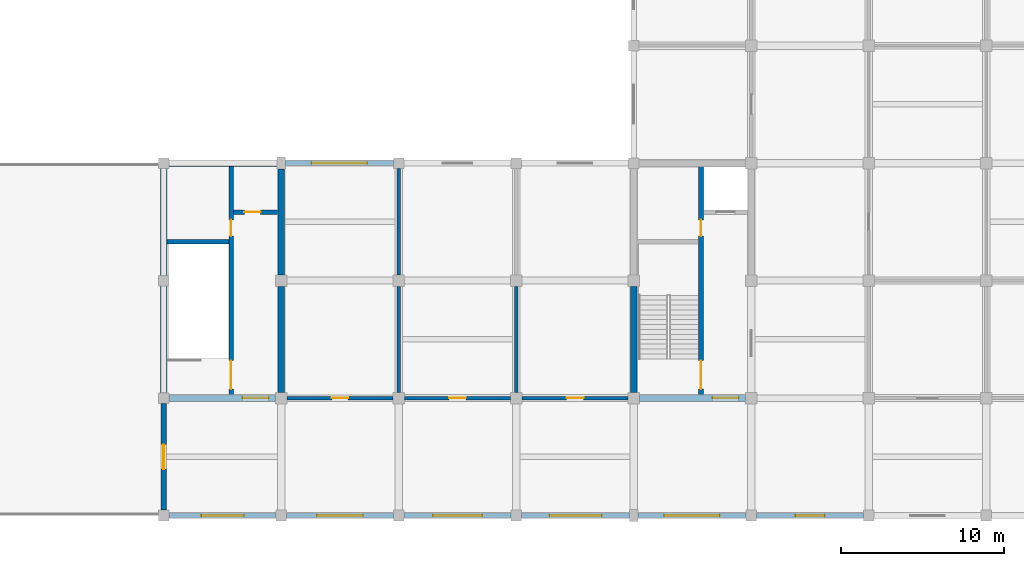
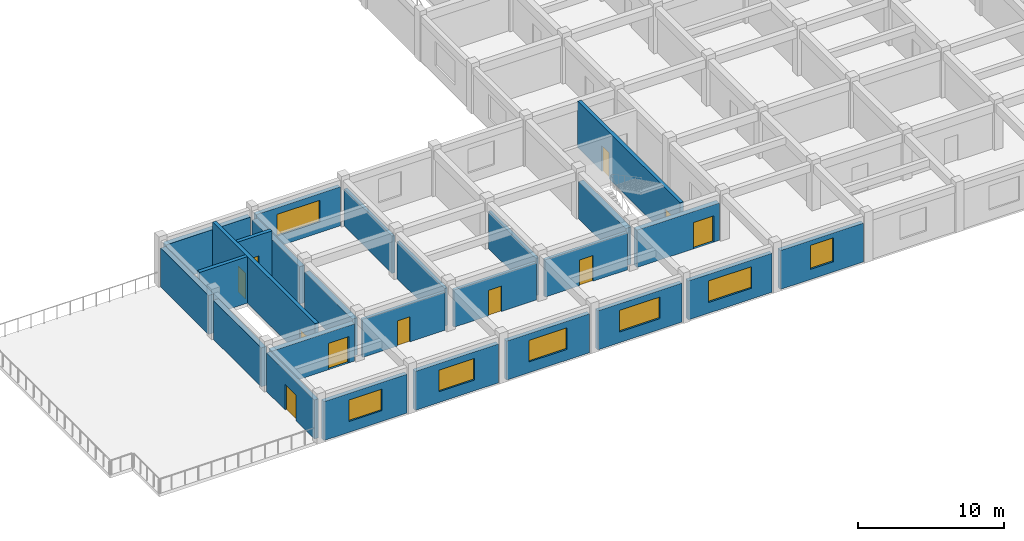
# One storey, part 4 of 10: 26 walls, 11 doors, 7 windows, 18 openings.
"""IFC4 building model written with IfcOpenShell, lengths in metres."""

from ifc_helpers import new_model, si_unit, direction, frame, frame_2d, origin, place, context, subcontext, project, spatial, rectangle, extrude, material, layer, layer_set, type_object, element, fill, save


model = new_model("IFC4")

# Units and contexts
model_context = context("Model", 3, precision=1e-05, world=origin(), true_north=direction((0.0, 1.0)))
body_context = subcontext(model_context, "Body", "Model", "MODEL_VIEW")
ifc_project = project(units=[si_unit("LENGTHUNIT", "METRE"), si_unit("AREAUNIT", "SQUARE_METRE"), si_unit("VOLUMEUNIT", "CUBIC_METRE"), si_unit("PLANEANGLEUNIT", "RADIAN"), si_unit("MASSUNIT", "GRAM", prefix="KILO")], contexts=[model_context])

# Site, building, storey
site_placement = place(None, origin())
site = spatial("IfcSite", under=ifc_project, at=site_placement, CompositionType="ELEMENT")
building_placement = place(site_placement, origin())
building = spatial("IfcBuilding", under=site, at=building_placement, Name="Cendaluz Park School", CompositionType="ELEMENT")
storey_placement = place(building_placement, frame((0.0, 0.0, 30.60009765625)))
storey = spatial("IfcBuildingStorey", under=building, at=storey_placement, Name="L07", CompositionType="ELEMENT", Elevation=30.60009765625)

# Wall, opening, window
ifc_material_1 = material(Name="Concrete C40/50 precast", Category="concrete")
ifc_layer_1 = layer(ifc_material_1, 0.320068359375)
ifc_layer_set_1 = layer_set([ifc_layer_1], Name="Concrete C40/50 precast")
wall_type_1 = type_object("IfcWallType", Name="W-EX32", PredefinedType="SOLIDWALL", material=ifc_layer_set_1)
wall_1_placement = place(storey_placement, frame((36.324951171875, 7.199951171875, 0.0), z_axis=(0.0, 0.0, 1.0), x_axis=(1.0, 0.0, 0.0)))
wall_1 = element("IfcWall", 1, at=wall_1_placement, inside=storey, type_object=wall_type_1, Name="WL-FH-AA0", PredefinedType="SOLIDWALL", context=body_context, shape_type="SweptSolid", body=[
    extrude(rectangle(XDim=6.550048828125, YDim=0.320068359375, at=frame_2d((3.27490234375, 0.0))), origin(), (0.0, 0.0, 1.0), 3.25),
])
opening_1_placement = place(wall_1_placement, frame((1.97509765625, 0.0, 0.89990234375)))
opening_1 = element("IfcOpeningElement", 2, at=opening_1_placement, cuts=wall_1, Name="Opening WN-05", PredefinedType="OPENING", context=body_context, shape_type="SweptSolid", body=[
    extrude(rectangle(XDim=2.60009765625, YDim=1.800048828125, at=frame_2d((1.300048828125, 0.89990234375))), frame((0.0, 0.172119140625, 0.0), z_axis=(0.0, -1.0, 0.0), x_axis=(1.0, 0.0, 0.0)), (0.0, 0.0, 1.0), 0.343994140625),
])
ifc_material_2 = material(Name="Tempered Low-E Double Glazing", Category="glass")
window_type_1 = type_object("IfcWindowType", Name="WN-05", PartitioningType="SINGLE_PANEL", PredefinedType="WINDOW", material=ifc_material_2)
window_1_placement = place(opening_1_placement, origin())
window_1 = element("IfcWindow", 3, at=window_1_placement, inside=storey, type_object=window_type_1, Name="WN-L07-001", OverallHeight=1.800048828125, OverallWidth=2.60009765625, PartitioningType="SINGLE_PANEL", PredefinedType="WINDOW", context=body_context, shape_type="SweptSolid", body=[
    extrude(rectangle(XDim=2.60009765625, YDim=1.800048828125, at=frame_2d((1.300048828125, 0.89990234375))), frame((0.0, 0.030029296875, 0.0), z_axis=(0.0, -1.0, 0.0), x_axis=(1.0, 0.0, 0.0)), (0.0, 0.0, 1.0), 0.06005859375),
])
fill(opening_1, window_1)

# Wall, opening, door
wall_2_placement = place(storey_placement, frame((36.0, 7.52490234375, 0.0), z_axis=(0.0, 0.0, 1.0), x_axis=(0.0, 1.0, 0.0)))
wall_2 = element("IfcWall", 4, at=wall_2_placement, inside=storey, type_object=wall_type_1, Name="WL-FH-AA1", PredefinedType="SOLIDWALL", context=body_context, shape_type="SweptSolid", body=[
    extrude(rectangle(XDim=6.550048828125, YDim=0.320068359375, at=frame_2d((3.27490234375, 0.0))), origin(), (0.0, 0.0, 1.0), 3.25),
])
opening_2_placement = place(wall_2_placement, frame((2.52490234375, 0.0, 0.0)))
opening_2 = element("IfcOpeningElement", 5, at=opening_2_placement, cuts=wall_2, Name="Opening DPD-03", PredefinedType="OPENING", context=body_context, shape_type="SweptSolid", body=[
    extrude(rectangle(XDim=1.5, YDim=2.14990234375, at=frame_2d((0.75, 1.074951171875))), frame((0.0, 0.172119140625, 0.0), z_axis=(0.0, -1.0, 0.0), x_axis=(1.0, 0.0, 0.0)), (0.0, 0.0, 1.0), 0.343994140625),
])
ifc_material_3 = material(Name="Architectural Bronze")
door_type_1 = type_object("IfcDoorType", Name="DPD-03", OperationType="DOUBLE_DOOR_SINGLE_SWING", PredefinedType="DOOR", material=ifc_material_3)
door_1_placement = place(opening_2_placement, origin())
door_1 = element("IfcDoor", 6, at=door_1_placement, inside=storey, type_object=door_type_1, Name="D-L07-001", OperationType="DOUBLE_DOOR_SINGLE_SWING", OverallHeight=2.14990234375, OverallWidth=1.5, PredefinedType="DOOR", context=body_context, shape_type="SweptSolid", body=[
    extrude(rectangle(XDim=1.5, YDim=2.14990234375, at=frame_2d((0.75, 1.074951171875))), frame((0.0, 0.02490234375, 0.0), z_axis=(0.0, -1.0, 0.0), x_axis=(1.0, 0.0, 0.0)), (0.0, 0.0, 1.0), 0.050048828125),
])
fill(opening_2, door_1)

# Wall, opening, window
wall_3_placement = place(storey_placement, frame((43.52490234375, 7.199951171875, 0.0), z_axis=(0.0, 0.0, 1.0), x_axis=(1.0, 0.0, 0.0)))
wall_3 = element("IfcWall", 7, at=wall_3_placement, inside=storey, type_object=wall_type_1, Name="WL-FH-AA2", PredefinedType="SOLIDWALL", context=body_context, shape_type="SweptSolid", body=[
    extrude(rectangle(XDim=6.550048828125, YDim=0.320068359375, at=frame_2d((3.27490234375, 0.0))), origin(), (0.0, 0.0, 1.0), 3.25),
])
opening_3_placement = place(wall_3_placement, frame((1.875, 0.0, 0.89990234375)))
opening_3 = element("IfcOpeningElement", 8, at=opening_3_placement, cuts=wall_3, Name="Opening WN-06", PredefinedType="OPENING", context=body_context, shape_type="SweptSolid", body=[
    extrude(rectangle(XDim=2.800048828125, YDim=1.800048828125, at=frame_2d((1.39990234375, 0.89990234375))), frame((0.0, 0.172119140625, 0.0), z_axis=(0.0, -1.0, 0.0), x_axis=(1.0, 0.0, 0.0)), (0.0, 0.0, 1.0), 0.343994140625),
])
window_type_2 = type_object("IfcWindowType", Name="WN-06", PartitioningType="SINGLE_PANEL", PredefinedType="WINDOW", material=ifc_material_2)
window_2_placement = place(opening_3_placement, origin())
window_2 = element("IfcWindow", 9, at=window_2_placement, inside=storey, type_object=window_type_2, Name="WN-L07-002", OverallHeight=1.800048828125, OverallWidth=2.800048828125, PartitioningType="SINGLE_PANEL", PredefinedType="WINDOW", context=body_context, shape_type="SweptSolid", body=[
    extrude(rectangle(XDim=2.800048828125, YDim=1.800048828125, at=frame_2d((1.39990234375, 0.89990234375))), frame((0.0, 0.030029296875, 0.0), z_axis=(0.0, -1.0, 0.0), x_axis=(1.0, 0.0, 0.0)), (0.0, 0.0, 1.0), 0.06005859375),
])
fill(opening_3, window_2)

wall_4_placement = place(storey_placement, frame((43.449951171875, 28.800048828125, 0.0), z_axis=(0.0, 0.0, 1.0), x_axis=(1.0, 0.0, 0.0)))
wall_4 = element("IfcWall", 10, at=wall_4_placement, inside=storey, type_object=wall_type_1, Name="WL-FH-AA3", PredefinedType="SOLIDWALL", context=body_context, shape_type="SweptSolid", body=[
    extrude(rectangle(XDim=6.625, YDim=0.320068359375, at=frame_2d((3.3125, 0.0))), origin(), (0.0, 0.0, 1.0), 3.25),
])
opening_4_placement = place(wall_4_placement, frame((1.612548828125, 0.0, 0.89990234375)))
opening_4 = element("IfcOpeningElement", 11, at=opening_4_placement, cuts=wall_4, Name="Opening WN-09", PredefinedType="OPENING", context=body_context, shape_type="SweptSolid", body=[
    extrude(rectangle(XDim=3.39990234375, YDim=1.800048828125, at=frame_2d((1.699951171875, 0.89990234375))), frame((0.0, 0.172119140625, 0.0), z_axis=(0.0, -1.0, 0.0), x_axis=(1.0, 0.0, 0.0)), (0.0, 0.0, 1.0), 0.343994140625),
])
window_type_3 = type_object("IfcWindowType", Name="WN-09", PartitioningType="SINGLE_PANEL", PredefinedType="WINDOW", material=ifc_material_2)
window_3_placement = place(opening_4_placement, origin())
window_3 = element("IfcWindow", 12, at=window_3_placement, inside=storey, type_object=window_type_3, Name="WN-L07-003", OverallHeight=1.800048828125, OverallWidth=3.39990234375, PartitioningType="SINGLE_PANEL", PredefinedType="WINDOW", context=body_context, shape_type="SweptSolid", body=[
    extrude(rectangle(XDim=3.39990234375, YDim=1.800048828125, at=frame_2d((1.699951171875, 0.89990234375))), frame((0.0, 0.030029296875, 0.0), z_axis=(0.0, -1.0, 0.0), x_axis=(1.0, 0.0, 0.0)), (0.0, 0.0, 1.0), 0.06005859375),
])
fill(opening_4, window_3)

wall_5_placement = place(storey_placement, frame((50.72509765625, 7.199951171875, 0.0), z_axis=(0.0, 0.0, 1.0), x_axis=(1.0, 0.0, 0.0)))
wall_5 = element("IfcWall", 13, at=wall_5_placement, inside=storey, type_object=wall_type_1, Name="WL-FH-AA4", PredefinedType="SOLIDWALL", context=body_context, shape_type="SweptSolid", body=[
    extrude(rectangle(XDim=6.5498046875, YDim=0.320068359375, at=frame_2d((3.27490234375, 0.0))), origin(), (0.0, 0.0, 1.0), 3.25),
])
opening_5_placement = place(wall_5_placement, frame((1.77490234375, 0.0, 0.89990234375)))
opening_5 = element("IfcOpeningElement", 14, at=opening_5_placement, cuts=wall_5, Name="Opening WN-07", PredefinedType="OPENING", context=body_context, shape_type="SweptSolid", body=[
    extrude(rectangle(XDim=3.0, YDim=1.800048828125, at=frame_2d((1.5, 0.89990234375))), frame((0.0, 0.172119140625, 0.0), z_axis=(0.0, -1.0, 0.0), x_axis=(1.0, 0.0, 0.0)), (0.0, 0.0, 1.0), 0.343994140625),
])
window_type_4 = type_object("IfcWindowType", Name="WN-07", PartitioningType="SINGLE_PANEL", PredefinedType="WINDOW", material=ifc_material_2)
window_4_placement = place(opening_5_placement, origin())
window_4 = element("IfcWindow", 15, at=window_4_placement, inside=storey, type_object=window_type_4, Name="WN-L07-004", OverallHeight=1.800048828125, OverallWidth=3.0, PartitioningType="SINGLE_PANEL", PredefinedType="WINDOW", context=body_context, shape_type="SweptSolid", body=[
    extrude(rectangle(XDim=3.0, YDim=1.800048828125, at=frame_2d((1.5, 0.89990234375))), frame((0.0, 0.030029296875, 0.0), z_axis=(0.0, -1.0, 0.0), x_axis=(1.0, 0.0, 0.0)), (0.0, 0.0, 1.0), 0.06005859375),
])
fill(opening_5, window_4)

wall_6_placement = place(storey_placement, frame((57.925048828125, 7.199951171875, 0.0), z_axis=(0.0, 0.0, 1.0), x_axis=(1.0, 0.0, 0.0)))
wall_6 = element("IfcWall", 16, at=wall_6_placement, inside=storey, type_object=wall_type_1, Name="WL-FH-AA6", PredefinedType="SOLIDWALL", context=body_context, shape_type="SweptSolid", body=[
    extrude(rectangle(XDim=6.625, YDim=0.320068359375, at=frame_2d((3.3125, 0.0))), origin(), (0.0, 0.0, 1.0), 3.25),
])
opening_6_placement = place(wall_6_placement, frame((1.71240234375, 0.0, 0.89990234375)))
opening_6 = element("IfcOpeningElement", 17, at=opening_6_placement, cuts=wall_6, Name="Opening WN-08", PredefinedType="OPENING", context=body_context, shape_type="SweptSolid", body=[
    extrude(rectangle(XDim=3.199951171875, YDim=1.800048828125, at=frame_2d((1.60009765625, 0.89990234375))), frame((0.0, 0.172119140625, 0.0), z_axis=(0.0, -1.0, 0.0), x_axis=(1.0, 0.0, 0.0)), (0.0, 0.0, 1.0), 0.343994140625),
])
window_type_5 = type_object("IfcWindowType", Name="WN-08", PartitioningType="SINGLE_PANEL", PredefinedType="WINDOW", material=ifc_material_2)
window_5_placement = place(opening_6_placement, origin())
window_5 = element("IfcWindow", 18, at=window_5_placement, inside=storey, type_object=window_type_5, Name="WN-L07-006", OverallHeight=1.800048828125, OverallWidth=3.199951171875, PartitioningType="SINGLE_PANEL", PredefinedType="WINDOW", context=body_context, shape_type="SweptSolid", body=[
    extrude(rectangle(XDim=3.199951171875, YDim=1.800048828125, at=frame_2d((1.60009765625, 0.89990234375))), frame((0.0, 0.030029296875, 0.0), z_axis=(0.0, -1.0, 0.0), x_axis=(1.0, 0.0, 0.0)), (0.0, 0.0, 1.0), 0.06005859375),
])
fill(opening_6, window_5)

wall_7_placement = place(storey_placement, frame((65.050048828125, 7.199951171875, 0.0), z_axis=(0.0, 0.0, 1.0), x_axis=(1.0, 0.0, 0.0)))
wall_7 = element("IfcWall", 19, at=wall_7_placement, inside=storey, type_object=wall_type_1, Name="WL-FH-AA8", PredefinedType="SOLIDWALL", context=body_context, shape_type="SweptSolid", body=[
    extrude(rectangle(XDim=6.625, YDim=0.320068359375, at=frame_2d((3.3125, 0.0))), origin(), (0.0, 0.0, 1.0), 3.25),
])
opening_7_placement = place(wall_7_placement, frame((1.612548828125, 0.0, 0.89990234375)))
opening_7 = element("IfcOpeningElement", 20, at=opening_7_placement, cuts=wall_7, Name="Opening WN-09", PredefinedType="OPENING", context=body_context, shape_type="SweptSolid", body=[
    extrude(rectangle(XDim=3.39990234375, YDim=1.800048828125, at=frame_2d((1.699951171875, 0.89990234375))), frame((0.0, 0.172119140625, 0.0), z_axis=(0.0, -1.0, 0.0), x_axis=(1.0, 0.0, 0.0)), (0.0, 0.0, 1.0), 0.343994140625),
])
window_6_placement = place(opening_7_placement, origin())
window_6 = element("IfcWindow", 21, at=window_6_placement, inside=storey, type_object=window_type_3, Name="WN-L07-008", OverallHeight=1.800048828125, OverallWidth=3.39990234375, PartitioningType="SINGLE_PANEL", PredefinedType="WINDOW", context=body_context, shape_type="SweptSolid", body=[
    extrude(rectangle(XDim=3.39990234375, YDim=1.800048828125, at=frame_2d((1.699951171875, 0.89990234375))), frame((0.0, 0.030029296875, 0.0), z_axis=(0.0, -1.0, 0.0), x_axis=(1.0, 0.0, 0.0)), (0.0, 0.0, 1.0), 0.06005859375),
])
fill(opening_7, window_6)

wall_8_placement = place(storey_placement, frame((72.324951171875, 7.199951171875, 0.0), z_axis=(0.0, 0.0, 1.0), x_axis=(1.0, 0.0, 0.0)))
wall_8 = element("IfcWall", 22, at=wall_8_placement, inside=storey, type_object=wall_type_1, Name="WL-FH-AB3", PredefinedType="SOLIDWALL", context=body_context, shape_type="SweptSolid", body=[
    extrude(rectangle(XDim=6.550048828125, YDim=0.320068359375, at=frame_2d((3.27490234375, 0.0))), origin(), (0.0, 0.0, 1.0), 3.25),
])
opening_8_placement = place(wall_8_placement, frame((2.375, 0.0, 0.85009765625)))
opening_8 = element("IfcOpeningElement", 23, at=opening_8_placement, cuts=wall_8, Name="Opening WN-10", PredefinedType="OPENING", context=body_context, shape_type="SweptSolid", body=[
    extrude(rectangle(XDim=1.800048828125, YDim=2.0, at=frame_2d((0.89990234375, 1.0))), frame((0.0, 0.172119140625, 0.0), z_axis=(0.0, -1.0, 0.0), x_axis=(1.0, 0.0, 0.0)), (0.0, 0.0, 1.0), 0.343994140625),
])
window_type_6 = type_object("IfcWindowType", Name="WN-10", PartitioningType="SINGLE_PANEL", PredefinedType="WINDOW", material=ifc_material_2)
window_7_placement = place(opening_8_placement, origin())
window_7 = element("IfcWindow", 24, at=window_7_placement, inside=storey, type_object=window_type_6, Name="WN-L07-013", OverallHeight=2.0, OverallWidth=1.800048828125, PartitioningType="SINGLE_PANEL", PredefinedType="WINDOW", context=body_context, shape_type="SweptSolid", body=[
    extrude(rectangle(XDim=1.800048828125, YDim=2.0, at=frame_2d((0.89990234375, 1.0))), frame((0.0, 0.030029296875, 0.0), z_axis=(0.0, -1.0, 0.0), x_axis=(1.0, 0.0, 0.0)), (0.0, 0.0, 1.0), 0.06005859375),
])
fill(opening_8, window_7)

# Wall, openings, doors
ifc_material_4 = material(Name="Concrete C40/50", Category="concrete")
ifc_layer_2 = layer(ifc_material_4, 0.280029296875)
ifc_layer_set_2 = layer_set([ifc_layer_2], Name="Concrete C40/50")
wall_type_2 = type_object("IfcWallType", Name="W-FW28", PredefinedType="SHEAR", material=ifc_layer_set_2)
wall_9_placement = place(storey_placement, frame((68.919921875, 14.60009765625, 0.0), z_axis=(0.0, 0.0, 1.0), x_axis=(0.0, 1.0, 0.0)))
wall_9 = element("IfcWall", 25, at=wall_9_placement, inside=storey, type_object=wall_type_2, Name="WL-FH-BI0", PredefinedType="SHEAR", context=body_context, shape_type="SweptSolid", body=[
    extrude(rectangle(XDim=14.0, YDim=0.280029296875, at=frame_2d((7.0, 0.0))), origin(), (0.0, 0.0, 1.0), 3.8798828125),
])
opening_9_placement = place(wall_9_placement, frame((0.35009765625, 0.0, 0.0)))
opening_9 = element("IfcOpeningElement", 26, at=opening_9_placement, cuts=wall_9, Name="Opening DST-03", PredefinedType="OPENING", context=body_context, shape_type="SweptSolid", body=[
    extrude(rectangle(XDim=1.75, YDim=2.14990234375, at=frame_2d((0.875, 1.074951171875))), frame((0.0, 0.152099609375, 0.0), z_axis=(0.0, -1.0, 0.0), x_axis=(1.0, 0.0, 0.0)), (0.0, 0.0, 1.0), 0.303955078125),
])
opening_10_placement = place(wall_9_placement, frame((9.719970703125, 0.0, 0.0)))
opening_10 = element("IfcOpeningElement", 27, at=opening_10_placement, cuts=wall_9, Name="Opening DFC-01", PredefinedType="OPENING", context=body_context, shape_type="SweptSolid", body=[
    extrude(rectangle(XDim=1.0, YDim=2.14990234375, at=frame_2d((0.5, 1.074951171875))), frame((0.0, 0.152099609375, 0.0), z_axis=(0.0, -1.0, 0.0), x_axis=(1.0, 0.0, 0.0)), (0.0, 0.0, 1.0), 0.303955078125),
])
ifc_material_5 = material(Name="Solid Core Hardwood", Category="wood")
door_type_2 = type_object("IfcDoorType", Name="DFC-01", OperationType="NOTDEFINED", PredefinedType="DOOR", material=ifc_material_5)
door_2_placement = place(opening_10_placement, origin())
door_2 = element("IfcDoor", 28, at=door_2_placement, inside=storey, type_object=door_type_2, Name="D-L07-006", OperationType="SINGLE_SWING_LEFT", OverallHeight=2.14990234375, OverallWidth=1.0, PredefinedType="DOOR", context=body_context, shape_type="SweptSolid", body=[
    extrude(rectangle(XDim=1.0, YDim=2.14990234375, at=frame_2d((0.5, 1.074951171875))), frame((0.0, 0.02490234375, 0.0), z_axis=(0.0, -1.0, 0.0), x_axis=(1.0, 0.0, 0.0)), (0.0, 0.0, 1.0), 0.050048828125),
])
fill(opening_10, door_2)
door_type_3 = type_object("IfcDoorType", Name="DST-03", OperationType="DOUBLE_DOOR_SINGLE_SWING", PredefinedType="DOOR", material=ifc_material_5)
door_3_placement = place(opening_9_placement, origin())
door_3 = element("IfcDoor", 29, at=door_3_placement, inside=storey, type_object=door_type_3, Name="D-L07-005", OperationType="DOUBLE_DOOR_SINGLE_SWING", OverallHeight=2.14990234375, OverallWidth=1.75, PredefinedType="DOOR", context=body_context, shape_type="SweptSolid", body=[
    extrude(rectangle(XDim=1.75, YDim=2.14990234375, at=frame_2d((0.875, 1.074951171875))), frame((0.0, 0.02490234375, 0.0), z_axis=(0.0, -1.0, 0.0), x_axis=(1.0, 0.0, 0.0)), (0.0, 0.0, 1.0), 0.050048828125),
])
fill(opening_9, door_3)

wall_10_placement = place(storey_placement, frame((40.1201171875, 14.60009765625, 0.0), z_axis=(0.0, 0.0, 1.0), x_axis=(0.0, 1.0, 0.0)))
wall_10 = element("IfcWall", 30, at=wall_10_placement, inside=storey, type_object=wall_type_2, Name="WL-FH-BL6", PredefinedType="SHEAR", context=body_context, shape_type="SweptSolid", body=[
    extrude(rectangle(XDim=14.0, YDim=0.280029296875, at=frame_2d((7.0, 0.0))), origin(), (0.0, 0.0, 1.0), 3.8798828125),
])
opening_11_placement = place(wall_10_placement, frame((0.35009765625, 0.0, 0.0)))
opening_11 = element("IfcOpeningElement", 31, at=opening_11_placement, cuts=wall_10, Name="Opening DST-03", PredefinedType="OPENING", context=body_context, shape_type="SweptSolid", body=[
    extrude(rectangle(XDim=1.75, YDim=2.14990234375, at=frame_2d((0.875, 1.074951171875))), frame((0.0, 0.152099609375, 0.0), z_axis=(0.0, -1.0, 0.0), x_axis=(1.0, 0.0, 0.0)), (0.0, 0.0, 1.0), 0.303955078125),
])
opening_12_placement = place(wall_10_placement, frame((9.719970703125, 0.0, 0.0)))
opening_12 = element("IfcOpeningElement", 32, at=opening_12_placement, cuts=wall_10, Name="Opening DFC-01", PredefinedType="OPENING", context=body_context, shape_type="SweptSolid", body=[
    extrude(rectangle(XDim=1.0, YDim=2.14990234375, at=frame_2d((0.5, 1.074951171875))), frame((0.0, 0.152099609375, 0.0), z_axis=(0.0, -1.0, 0.0), x_axis=(1.0, 0.0, 0.0)), (0.0, 0.0, 1.0), 0.303955078125),
])
door_4_placement = place(opening_12_placement, origin())
door_4 = element("IfcDoor", 33, at=door_4_placement, inside=storey, type_object=door_type_2, Name="D-L07-023", OperationType="SINGLE_SWING_LEFT", OverallHeight=2.14990234375, OverallWidth=1.0, PredefinedType="DOOR", context=body_context, shape_type="SweptSolid", body=[
    extrude(rectangle(XDim=1.0, YDim=2.14990234375, at=frame_2d((0.5, 1.074951171875))), frame((0.0, 0.02490234375, 0.0), z_axis=(0.0, -1.0, 0.0), x_axis=(1.0, 0.0, 0.0)), (0.0, 0.0, 1.0), 0.050048828125),
])
fill(opening_12, door_4)
door_5_placement = place(opening_11_placement, origin())
door_5 = element("IfcDoor", 34, at=door_5_placement, inside=storey, type_object=door_type_3, Name="D-L07-022", OperationType="DOUBLE_DOOR_SINGLE_SWING", OverallHeight=2.14990234375, OverallWidth=1.75, PredefinedType="DOOR", context=body_context, shape_type="SweptSolid", body=[
    extrude(rectangle(XDim=1.75, YDim=2.14990234375, at=frame_2d((0.875, 1.074951171875))), frame((0.0, 0.02490234375, 0.0), z_axis=(0.0, -1.0, 0.0), x_axis=(1.0, 0.0, 0.0)), (0.0, 0.0, 1.0), 0.050048828125),
])
fill(opening_11, door_5)

# Wall
wall_11_placement = place(storey_placement, frame((36.199951171875, 23.97998046875, 0.0), z_axis=(0.0, 0.0, 1.0), x_axis=(1.0, 0.0, 0.0)))
element("IfcWall", 35, at=wall_11_placement, inside=storey, type_object=wall_type_2, Name="WL-FH-BL7", PredefinedType="SHEAR", context=body_context, shape_type="SweptSolid", body=[
    extrude(rectangle(XDim=3.780029296875, YDim=0.280029296875, at=frame_2d((1.89013671875, 0.0))), origin(), (0.0, 0.0, 1.0), 3.8798828125),
])

# Wall, opening, door
wall_12_placement = place(storey_placement, frame((40.280029296875, 25.800048828125, 0.0), z_axis=(0.0, 0.0, 1.0), x_axis=(1.0, 0.0, 0.0)))
wall_12 = element("IfcWall", 36, at=wall_12_placement, inside=storey, type_object=wall_type_2, Name="WL-FH-BL8", PredefinedType="SHEAR", context=body_context, shape_type="SweptSolid", body=[
    extrude(rectangle(XDim=2.679931640625, YDim=0.280029296875, at=frame_2d((1.33984375, 0.0))), origin(), (0.0, 0.0, 1.0), 3.8798828125),
])
opening_13_placement = place(wall_12_placement, frame((0.64990234375, 0.0, 0.0)))
opening_13 = element("IfcOpeningElement", 37, at=opening_13_placement, cuts=wall_12, Name="Opening DFC-01", PredefinedType="OPENING", context=body_context, shape_type="SweptSolid", body=[
    extrude(rectangle(XDim=1.0, YDim=2.14990234375, at=frame_2d((0.5, 1.074951171875))), frame((0.0, 0.152099609375, 0.0), z_axis=(0.0, -1.0, 0.0), x_axis=(1.0, 0.0, 0.0)), (0.0, 0.0, 1.0), 0.303955078125),
])
door_6_placement = place(opening_13_placement, frame((1.0, 0.0, 0.0), z_axis=(0.0, 0.0, 1.0), x_axis=(-1.0, 0.0, 0.0)))
door_6 = element("IfcDoor", 38, at=door_6_placement, inside=storey, type_object=door_type_2, Name="D-L07-024", OperationType="SINGLE_SWING_RIGHT", OverallHeight=2.14990234375, OverallWidth=1.0, PredefinedType="DOOR", context=body_context, shape_type="SweptSolid", body=[
    extrude(rectangle(XDim=1.0, YDim=2.14990234375, at=frame_2d((0.5, 1.074951171875))), frame((0.0, 0.02490234375, 0.0), z_axis=(0.0, -1.0, 0.0), x_axis=(1.0, 0.0, 0.0)), (0.0, 0.0, 1.0), 0.050048828125),
])
fill(opening_13, door_6)

ifc_material_6 = material(Name="Gypsum Plasterboard on Cold-Formed Stud", Category="gypsum")
ifc_layer_3 = layer(ifc_material_6, 0.219970703125)
ifc_layer_set_3 = layer_set([ifc_layer_3], Name="Gypsum Plasterboard on Cold-Formed Stud")
wall_type_3 = type_object("IfcWallType", Name="W-LB22", PredefinedType="PARTITIONING", material=ifc_layer_set_3)
wall_13_placement = place(storey_placement, frame((43.550048828125, 14.39990234375, 0.0), z_axis=(0.0, 0.0, 1.0), x_axis=(1.0, 0.0, 0.0)))
wall_13 = element("IfcWall", 39, at=wall_13_placement, inside=storey, type_object=wall_type_3, Name="WL-FH-BN6", PredefinedType="PARTITIONING", context=body_context, shape_type="SweptSolid", body=[
    extrude(rectangle(XDim=6.5, YDim=0.219970703125, at=frame_2d((3.25, 0.0))), origin(), (0.0, 0.0, 1.0), 3.179931640625),
])
opening_14_placement = place(wall_13_placement, frame((2.75, 0.0, 0.0)))
opening_14 = element("IfcOpeningElement", 40, at=opening_14_placement, cuts=wall_13, Name="Opening DCL-01", PredefinedType="OPENING", context=body_context, shape_type="SweptSolid", body=[
    extrude(rectangle(XDim=1.0, YDim=2.10009765625, at=frame_2d((0.5, 1.050048828125))), frame((0.0, 0.1220703125, 0.0), z_axis=(0.0, -1.0, 0.0), x_axis=(1.0, 0.0, 0.0)), (0.0, 0.0, 1.0), 0.243896484375),
])
door_type_4 = type_object("IfcDoorType", Name="DCL-01", OperationType="NOTDEFINED", PredefinedType="DOOR", material=ifc_material_5)
door_7_placement = place(opening_14_placement, frame((1.0, 0.0, 0.0), z_axis=(0.0, 0.0, 1.0), x_axis=(-1.0, 0.0, 0.0)))
door_7 = element("IfcDoor", 41, at=door_7_placement, inside=storey, type_object=door_type_4, Name="D-L07-031", OperationType="SINGLE_SWING_RIGHT", OverallHeight=2.10009765625, OverallWidth=1.0, PredefinedType="DOOR", context=body_context, shape_type="SweptSolid", body=[
    extrude(rectangle(XDim=1.0, YDim=2.10009765625, at=frame_2d((0.5, 1.050048828125))), frame((0.0, 0.02490234375, 0.0), z_axis=(0.0, -1.0, 0.0), x_axis=(1.0, 0.0, 0.0)), (0.0, 0.0, 1.0), 0.050048828125),
])
fill(opening_14, door_7)

# Walls
wall_14_placement = place(storey_placement, frame((50.39990234375, 14.75, 0.0), z_axis=(0.0, 0.0, 1.0), x_axis=(0.0, 1.0, 0.0)))
element("IfcWall", 42, at=wall_14_placement, inside=storey, type_object=wall_type_3, Name="WL-FH-BN7", PredefinedType="PARTITIONING", context=body_context, shape_type="SweptSolid", body=[
    extrude(rectangle(XDim=6.5, YDim=0.219970703125, at=frame_2d((3.25, 0.0))), origin(), (0.0, 0.0, 1.0), 3.10986328125),
])
wall_15_placement = place(storey_placement, frame((50.39990234375, 21.949951171875, 0.0), z_axis=(0.0, 0.0, 1.0), x_axis=(0.0, 1.0, 0.0)))
element("IfcWall", 43, at=wall_15_placement, inside=storey, type_object=wall_type_3, Name="WL-FH-BN8", PredefinedType="PARTITIONING", context=body_context, shape_type="SweptSolid", body=[
    extrude(rectangle(XDim=6.525146484375, YDim=0.219970703125, at=frame_2d((3.2626953125, 0.0))), origin(), (0.0, 0.0, 1.0), 3.10986328125),
])

# Wall, opening, door
wall_16_placement = place(storey_placement, frame((50.75, 14.39990234375, 0.0), z_axis=(0.0, 0.0, 1.0), x_axis=(1.0, 0.0, 0.0)))
wall_16 = element("IfcWall", 44, at=wall_16_placement, inside=storey, type_object=wall_type_3, Name="WL-FH-BN9", PredefinedType="PARTITIONING", context=body_context, shape_type="SweptSolid", body=[
    extrude(rectangle(XDim=6.5, YDim=0.219970703125, at=frame_2d((3.25, 0.0))), origin(), (0.0, 0.0, 1.0), 3.10986328125),
])
opening_15_placement = place(wall_16_placement, frame((2.739990234375, 0.0, 0.0)))
opening_15 = element("IfcOpeningElement", 45, at=opening_15_placement, cuts=wall_16, Name="Opening DCL-02", PredefinedType="OPENING", context=body_context, shape_type="SweptSolid", body=[
    extrude(rectangle(XDim=1.02001953125, YDim=2.1201171875, at=frame_2d((0.510009765625, 1.06005859375))), frame((0.0, 0.1220703125, 0.0), z_axis=(0.0, -1.0, 0.0), x_axis=(1.0, 0.0, 0.0)), (0.0, 0.0, 1.0), 0.243896484375),
])
door_type_5 = type_object("IfcDoorType", Name="DCL-02", OperationType="NOTDEFINED", PredefinedType="DOOR", material=ifc_material_5)
door_8_placement = place(opening_15_placement, frame((1.02001953125, 0.0, 0.0), z_axis=(0.0, 0.0, 1.0), x_axis=(-1.0, 0.0, 0.0)))
door_8 = element("IfcDoor", 46, at=door_8_placement, inside=storey, type_object=door_type_5, Name="D-L07-032", OperationType="SINGLE_SWING_LEFT", OverallHeight=2.1201171875, OverallWidth=1.02001953125, PredefinedType="DOOR", context=body_context, shape_type="SweptSolid", body=[
    extrude(rectangle(XDim=1.02001953125, YDim=2.1201171875, at=frame_2d((0.510009765625, 1.06005859375))), frame((0.0, 0.02490234375, 0.0), z_axis=(0.0, -1.0, 0.0), x_axis=(1.0, 0.0, 0.0)), (0.0, 0.0, 1.0), 0.050048828125),
])
fill(opening_15, door_8)

# Wall
wall_17_placement = place(storey_placement, frame((57.60009765625, 14.75, 0.0), z_axis=(0.0, 0.0, 1.0), x_axis=(0.0, 1.0, 0.0)))
element("IfcWall", 47, at=wall_17_placement, inside=storey, type_object=wall_type_3, Name="WL-FH-BO0", PredefinedType="PARTITIONING", context=body_context, shape_type="SweptSolid", body=[
    extrude(rectangle(XDim=6.5, YDim=0.219970703125, at=frame_2d((3.25, 0.0))), origin(), (0.0, 0.0, 1.0), 3.10986328125),
])

# Wall, opening, door
wall_18_placement = place(storey_placement, frame((57.949951171875, 14.39990234375, 0.0), z_axis=(0.0, 0.0, 1.0), x_axis=(1.0, 0.0, 0.0)))
wall_18 = element("IfcWall", 48, at=wall_18_placement, inside=storey, type_object=wall_type_3, Name="WL-FH-BO2", PredefinedType="PARTITIONING", context=body_context, shape_type="SweptSolid", body=[
    extrude(rectangle(XDim=6.5, YDim=0.219970703125, at=frame_2d((3.25, 0.0))), origin(), (0.0, 0.0, 1.0), 3.10986328125),
])
opening_16_placement = place(wall_18_placement, frame((2.72998046875, 0.0, 0.0)))
opening_16 = element("IfcOpeningElement", 49, at=opening_16_placement, cuts=wall_18, Name="Opening DCL-03", PredefinedType="OPENING", context=body_context, shape_type="SweptSolid", body=[
    extrude(rectangle(XDim=1.0400390625, YDim=2.139892578125, at=frame_2d((0.52001953125, 1.06982421875))), frame((0.0, 0.1220703125, 0.0), z_axis=(0.0, -1.0, 0.0), x_axis=(1.0, 0.0, 0.0)), (0.0, 0.0, 1.0), 0.243896484375),
])
door_type_6 = type_object("IfcDoorType", Name="DCL-03", OperationType="NOTDEFINED", PredefinedType="DOOR", material=ifc_material_5)
door_9_placement = place(opening_16_placement, frame((1.0400390625, 0.0, 0.0), z_axis=(0.0, 0.0, 1.0), x_axis=(-1.0, 0.0, 0.0)))
door_9 = element("IfcDoor", 50, at=door_9_placement, inside=storey, type_object=door_type_6, Name="D-L07-033", OperationType="SINGLE_SWING_RIGHT", OverallHeight=2.139892578125, OverallWidth=1.0400390625, PredefinedType="DOOR", context=body_context, shape_type="SweptSolid", body=[
    extrude(rectangle(XDim=1.0400390625, YDim=2.139892578125, at=frame_2d((0.52001953125, 1.06982421875))), frame((0.0, 0.02490234375, 0.0), z_axis=(0.0, -1.0, 0.0), x_axis=(1.0, 0.0, 0.0)), (0.0, 0.0, 1.0), 0.050048828125),
])
fill(opening_16, door_9)

# Wall
ifc_layer_4 = layer(ifc_material_4, 0.39990234375)
ifc_layer_set_4 = layer_set([ifc_layer_4], Name="Concrete C40/50")
wall_type_4 = type_object("IfcWallType", Name="W-SH40", PredefinedType="SHEAR", material=ifc_layer_set_4)
wall_19_placement = place(storey_placement, frame((64.800048828125, 14.75, 0.0), z_axis=(0.0, 0.0, 1.0), x_axis=(0.0, 1.0, 0.0)))
element("IfcWall", 51, at=wall_19_placement, inside=storey, type_object=wall_type_4, Name="WL-FH-BH4", PredefinedType="SHEAR", context=body_context, shape_type="SweptSolid", body=[
    extrude(rectangle(XDim=6.5, YDim=0.39990234375, at=frame_2d((3.25, 0.0))), origin(), (0.0, 0.0, 1.0), 3.10986328125),
])

# Wall, opening, door
wall_20_placement = place(storey_placement, frame((65.14990234375, 14.39990234375, 0.0), z_axis=(0.0, 0.0, 1.0), x_axis=(1.0, 0.0, 0.0)))
wall_20 = element("IfcWall", 52, at=wall_20_placement, inside=storey, type_object=wall_type_4, Name="WL-FH-BH8", PredefinedType="SHEAR", context=body_context, shape_type="SweptSolid", body=[
    extrude(rectangle(XDim=6.5, YDim=0.39990234375, at=frame_2d((3.25, 0.0))), origin(), (0.0, 0.0, 1.0), 3.10986328125),
])
opening_17_placement = place(wall_20_placement, frame((4.469970703125, 0.0, 0.0)))
opening_17 = element("IfcOpeningElement", 53, at=opening_17_placement, cuts=wall_20, Name="Opening DLB-01", PredefinedType="OPENING", context=body_context, shape_type="SweptSolid", body=[
    extrude(rectangle(XDim=1.60009765625, YDim=2.199951171875, at=frame_2d((0.800048828125, 1.10009765625))), frame((0.0, 0.2119140625, 0.0), z_axis=(0.0, -1.0, 0.0), x_axis=(1.0, 0.0, 0.0)), (0.0, 0.0, 1.0), 0.423828125),
])
door_type_7 = type_object("IfcDoorType", Name="DLB-01", OperationType="DOUBLE_DOOR_SINGLE_SWING", PredefinedType="DOOR", material=ifc_material_5)
door_10_placement = place(opening_17_placement, origin())
door_10 = element("IfcDoor", 54, at=door_10_placement, inside=storey, type_object=door_type_7, Name="D-L07-004", OperationType="DOUBLE_DOOR_SINGLE_SWING", OverallHeight=2.199951171875, OverallWidth=1.60009765625, PredefinedType="DOOR", context=body_context, shape_type="SweptSolid", body=[
    extrude(rectangle(XDim=1.60009765625, YDim=2.199951171875, at=frame_2d((0.800048828125, 1.10009765625))), frame((0.0, 0.02490234375, 0.0), z_axis=(0.0, -1.0, 0.0), x_axis=(1.0, 0.0, 0.0)), (0.0, 0.0, 1.0), 0.050048828125),
])
fill(opening_17, door_10)

# Walls
wall_21_placement = place(storey_placement, frame((36.0, 14.72509765625, 0.0), z_axis=(0.0, 0.0, 1.0), x_axis=(0.0, 1.0, 0.0)))
element("IfcWall", 55, at=wall_21_placement, inside=storey, type_object=wall_type_4, Name="WL-FH-BL0", PredefinedType="SHEAR", context=body_context, shape_type="SweptSolid", body=[
    extrude(rectangle(XDim=6.5498046875, YDim=0.39990234375, at=frame_2d((3.27490234375, 0.0))), origin(), (0.0, 0.0, 1.0), 3.25),
])
wall_22_placement = place(storey_placement, frame((36.0, 21.925048828125, 0.0), z_axis=(0.0, 0.0, 1.0), x_axis=(0.0, 1.0, 0.0)))
element("IfcWall", 56, at=wall_22_placement, inside=storey, type_object=wall_type_4, Name="WL-FH-BL1", PredefinedType="SHEAR", context=body_context, shape_type="SweptSolid", body=[
    extrude(rectangle(XDim=6.550048828125, YDim=0.39990234375, at=frame_2d((3.27490234375, 0.0))), origin(), (0.0, 0.0, 1.0), 3.25),
])
wall_23_placement = place(storey_placement, frame((43.199951171875, 14.75, 0.0), z_axis=(0.0, 0.0, 1.0), x_axis=(0.0, 1.0, 0.0)))
element("IfcWall", 57, at=wall_23_placement, inside=storey, type_object=wall_type_4, Name="WL-FH-BL2", PredefinedType="SHEAR", context=body_context, shape_type="SweptSolid", body=[
    extrude(rectangle(XDim=6.5, YDim=0.39990234375, at=frame_2d((3.25, 0.0))), origin(), (0.0, 0.0, 1.0), 3.10986328125),
])
wall_24_placement = place(storey_placement, frame((43.199951171875, 21.949951171875, 0.0), z_axis=(0.0, 0.0, 1.0), x_axis=(0.0, 1.0, 0.0)))
element("IfcWall", 58, at=wall_24_placement, inside=storey, type_object=wall_type_4, Name="WL-FH-BL3", PredefinedType="SHEAR", context=body_context, shape_type="SweptSolid", body=[
    extrude(rectangle(XDim=6.47509765625, YDim=0.39990234375, at=frame_2d((3.237548828125, 0.0))), origin(), (0.0, 0.0, 1.0), 3.10986328125),
])

# Wall, opening, door
wall_25_placement = place(storey_placement, frame((36.324951171875, 14.39990234375, 0.0), z_axis=(0.0, 0.0, 1.0), x_axis=(1.0, 0.0, 0.0)))
wall_25 = element("IfcWall", 59, at=wall_25_placement, inside=storey, type_object=wall_type_4, Name="WL-FH-BL4", PredefinedType="SHEAR", context=body_context, shape_type="SweptSolid", body=[
    extrude(rectangle(XDim=6.525146484375, YDim=0.39990234375, at=frame_2d((3.2626953125, 0.0))), origin(), (0.0, 0.0, 1.0), 3.10986328125),
])
opening_18_placement = place(wall_25_placement, frame((4.4951171875, 0.0, 0.0)))
opening_18 = element("IfcOpeningElement", 60, at=opening_18_placement, cuts=wall_25, Name="Opening DLB-01", PredefinedType="OPENING", context=body_context, shape_type="SweptSolid", body=[
    extrude(rectangle(XDim=1.60009765625, YDim=2.199951171875, at=frame_2d((0.800048828125, 1.10009765625))), frame((0.0, 0.2119140625, 0.0), z_axis=(0.0, -1.0, 0.0), x_axis=(1.0, 0.0, 0.0)), (0.0, 0.0, 1.0), 0.423828125),
])
door_11_placement = place(opening_18_placement, origin())
door_11 = element("IfcDoor", 61, at=door_11_placement, inside=storey, type_object=door_type_7, Name="D-L07-021", OperationType="DOUBLE_DOOR_SINGLE_SWING", OverallHeight=2.199951171875, OverallWidth=1.60009765625, PredefinedType="DOOR", context=body_context, shape_type="SweptSolid", body=[
    extrude(rectangle(XDim=1.60009765625, YDim=2.199951171875, at=frame_2d((0.800048828125, 1.10009765625))), frame((0.0, 0.02490234375, 0.0), z_axis=(0.0, -1.0, 0.0), x_axis=(1.0, 0.0, 0.0)), (0.0, 0.0, 1.0), 0.050048828125),
])
fill(opening_18, door_11)

# Wall
wall_26_placement = place(storey_placement, frame((36.324951171875, 28.800048828125, 0.0), z_axis=(0.0, 0.0, 1.0), x_axis=(1.0, 0.0, 0.0)))
element("IfcWall", 62, at=wall_26_placement, inside=storey, type_object=wall_type_4, Name="WL-FH-BL5", PredefinedType="SHEAR", context=body_context, shape_type="SweptSolid", body=[
    extrude(rectangle(XDim=6.625, YDim=0.39990234375, at=frame_2d((3.3125, 0.0))), origin(), (0.0, 0.0, 1.0), 3.25),
])

save(model, "model.ifc")
